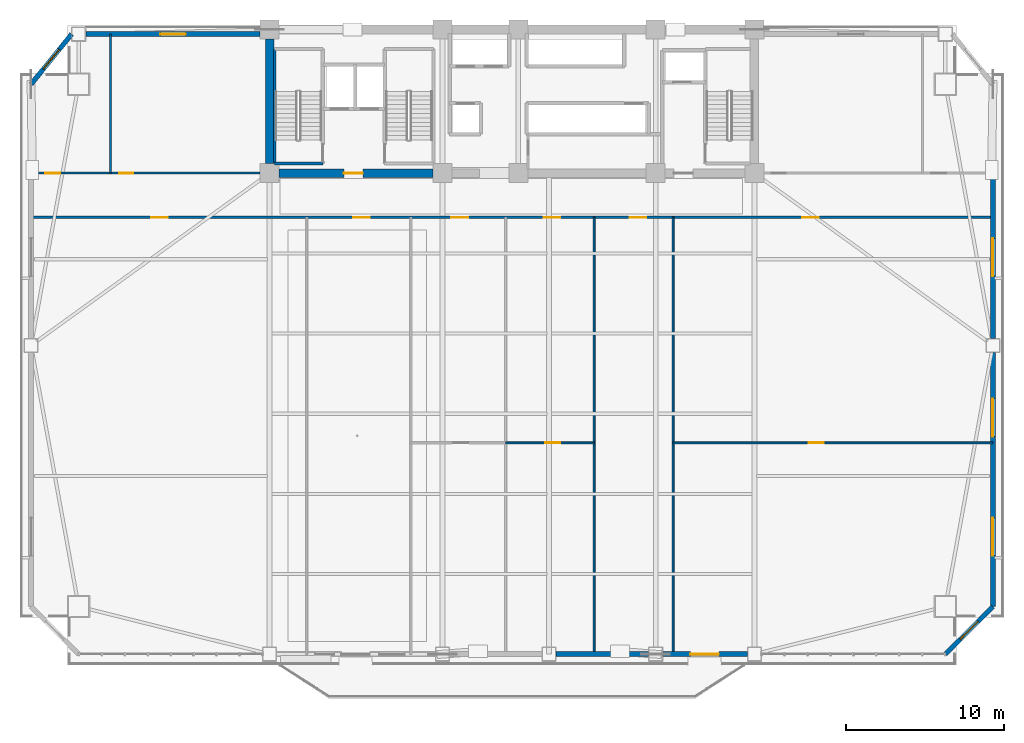
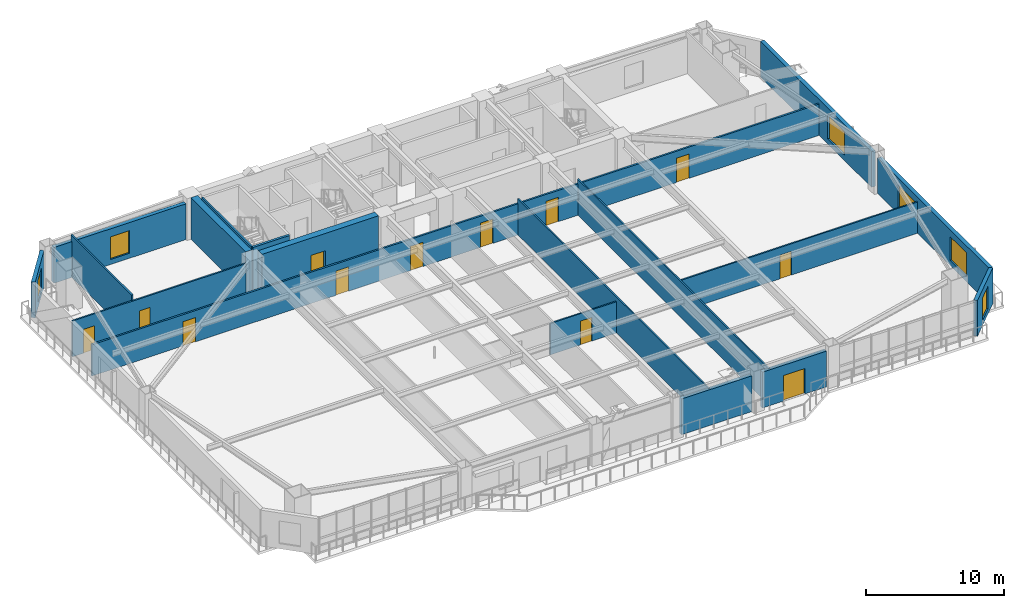
# One storey, part 8 of 15: 18 walls, 12 doors, 6 windows, 18 openings.
"""IFC4 building model written with IfcOpenShell, lengths in metres."""

from ifc_helpers import new_model, si_unit, direction, frame, frame_2d, origin, place, context, subcontext, project, spatial, rectangle, extrude, source, transform, mapped, material, layer, layer_set, type_object, element, fill, save


model = new_model("IFC4")

# Units and contexts
model_context = context("Model", 3, precision=1e-05, world=origin(), true_north=direction((0.0, 1.0)))
body_context = subcontext(model_context, "Body", "Model", "MODEL_VIEW")
ifc_project = project(units=[si_unit("LENGTHUNIT", "METRE"), si_unit("AREAUNIT", "SQUARE_METRE"), si_unit("VOLUMEUNIT", "CUBIC_METRE"), si_unit("PLANEANGLEUNIT", "RADIAN"), si_unit("MASSUNIT", "GRAM", prefix="KILO")], contexts=[model_context])

# Site, building, storey
site_placement = place(None, origin())
site = spatial("IfcSite", under=ifc_project, at=site_placement, CompositionType="ELEMENT")
building_placement = place(site_placement, origin())
building = spatial("IfcBuilding", under=site, at=building_placement, Name="Giltprow Tower", CompositionType="ELEMENT")
storey_placement = place(building_placement, frame((0.0, 0.0, 111.39990234375)))
storey = spatial("IfcBuildingStorey", under=building, at=storey_placement, Name="L27", CompositionType="ELEMENT", Elevation=111.39990234375)

# Wall, opening, window
ifc_material_1 = material(Name="Precast concrete C40", Category="concrete")
ifc_layer_1 = layer(ifc_material_1, 0.300048828125, Name="Precast concrete C40")
ifc_layer_set_1 = layer_set([ifc_layer_1], Name="Precast concrete C40")
wall_type_1 = type_object("IfcWallType", Name="EW-NOTCH-CHAMFER-300", PredefinedType="SOLIDWALL", material=ifc_layer_set_1)
wall_1_placement = place(storey_placement, frame((62.638916015625, 6.989990234375, 0.0), z_axis=(0.0, 0.0, 1.0), x_axis=(0.707106781187, 0.707106781187, 0.0)))
wall_1 = element("IfcWall", 1, at=wall_1_placement, inside=storey, type_object=wall_type_1, Name="L27 Corner Notch Wall SE", PredefinedType="SOLIDWALL", context=body_context, shape_type="SweptSolid", body=[
    extrude(rectangle(XDim=4.266845703125, YDim=0.300048828125, at=frame_2d((2.13330078125, 0.0))), origin(), (0.0, 0.0, 1.0), 3.16015625),
])
opening_1_placement = place(wall_1_placement, frame((1.3330078125, 0.0, 0.449951171875)))
opening_1 = element("IfcOpeningElement", 2, at=opening_1_placement, cuts=wall_1, Name="Opening WN17", PredefinedType="OPENING", context=body_context, shape_type="SweptSolid", body=[
    extrude(rectangle(XDim=1.60009765625, YDim=2.0, at=frame_2d((0.800048828125, 1.0))), frame((0.0, 0.159912109375, 0.0), z_axis=(0.0, -1.0, 0.0), x_axis=(1.0, 0.0, 0.0)), (0.0, 0.0, 1.0), 0.320068359375),
])
ifc_material_2 = material(Name="Insulated glass", Category="glass")
window_type_1 = type_object("IfcWindowType", Name="WN-COR-1600x2000", PartitioningType="SINGLE_PANEL", PredefinedType="WINDOW", material=ifc_material_2)
shared_shape_1 = source(origin(), body_context, "Body", "SweptSolid", [
    extrude(rectangle(XDim=1.60009765625, YDim=2.0, at=frame_2d((0.800048828125, 1.0))), frame((0.0, 0.030029296875, 0.0), z_axis=(0.0, -1.0, 0.0), x_axis=(1.0, 0.0, 0.0)), (0.0, 0.0, 1.0), 0.06005859375),
])
window_1_placement = place(opening_1_placement, origin())
window_1 = element("IfcWindow", 3, at=window_1_placement, inside=storey, type_object=window_type_1, Name="L27 Corner Notch Window SE", OverallHeight=2.0, OverallWidth=1.60009765625, PartitioningType="SINGLE_PANEL", PredefinedType="WINDOW", context=body_context, shape_type="MappedRepresentation", body=[
    mapped(shared_shape_1, transform((0.0, 0.0, 0.0), x_axis=(1.0, 0.0, 0.0), y_axis=(0.0, 1.0, 0.0), z_axis=(0.0, 0.0, 1.0), scale=1.0)),
])
fill(opening_1, window_1)

wall_2_placement = place(storey_placement, frame((7.31103515625, 46.25, 0.0), z_axis=(0.0, 0.0, 1.0), x_axis=(-0.629699415949, -0.776838880047, 0.0)))
wall_2 = element("IfcWall", 4, at=wall_2_placement, inside=storey, type_object=wall_type_1, Name="L27 Corner Notch Wall NW", PredefinedType="SOLIDWALL", context=body_context, shape_type="SweptSolid", body=[
    extrude(rectangle(XDim=4.07666015625, YDim=0.300048828125, at=frame_2d((2.038330078125, 0.0))), origin(), (0.0, 0.0, 1.0), 3.16015625),
])
opening_2_placement = place(wall_2_placement, frame((1.238037109375, 0.0, 0.449951171875)))
opening_2 = element("IfcOpeningElement", 5, at=opening_2_placement, cuts=wall_2, Name="Opening WN17", PredefinedType="OPENING", context=body_context, shape_type="SweptSolid", body=[
    extrude(rectangle(XDim=1.60009765625, YDim=2.0, at=frame_2d((0.800048828125, 1.0))), frame((0.0, 0.159912109375, 0.0), z_axis=(0.0, -1.0, 0.0), x_axis=(1.0, 0.0, 0.0)), (0.0, 0.0, 1.0), 0.320068359375),
])
window_2_placement = place(opening_2_placement, origin())
window_2 = element("IfcWindow", 6, at=window_2_placement, inside=storey, type_object=window_type_1, Name="L27 Corner Notch Window NW", OverallHeight=2.0, OverallWidth=1.60009765625, PartitioningType="SINGLE_PANEL", PredefinedType="WINDOW", context=body_context, shape_type="MappedRepresentation", body=[
    mapped(shared_shape_1, transform((0.0, 0.0, 0.0), x_axis=(1.0, 0.0, 0.0), y_axis=(0.0, 1.0, 0.0), z_axis=(0.0, 0.0, 1.0), scale=1.0)),
])
fill(opening_2, window_2)

# Wall
ifc_layer_2 = layer(ifc_material_1, 0.320068359375, Name="Precast concrete C40")
ifc_layer_set_2 = layer_set([ifc_layer_2], Name="Precast concrete C40")
wall_type_2 = type_object("IfcWallType", Name="EW-TOW-STONE-320", PredefinedType="SOLIDWALL", material=ifc_layer_set_2)
wall_3_placement = place(storey_placement, frame((38.0, 6.989990234375, 0.0), z_axis=(0.0, 0.0, 1.0), x_axis=(1.0, 0.0, 0.0)))
element("IfcWall", 7, at=wall_3_placement, inside=storey, type_object=wall_type_2, Name="L27 South Expressed Frame Wall 4", PredefinedType="SOLIDWALL", context=body_context, shape_type="SweptSolid", body=[
    extrude(rectangle(XDim=5.85009765625, YDim=0.320068359375, at=frame_2d((2.925048828125, 0.0))), origin(), (0.0, 0.0, 1.0), 3.16015625),
])

# Wall, opening, door
wall_4_placement = place(storey_placement, frame((44.75, 6.989990234375, 0.0), z_axis=(0.0, 0.0, 1.0), x_axis=(1.0, 0.0, 0.0)))
wall_4 = element("IfcWall", 8, at=wall_4_placement, inside=storey, type_object=wall_type_2, Name="L27 South Expressed Frame Wall 5", PredefinedType="SOLIDWALL", context=body_context, shape_type="SweptSolid", body=[
    extrude(rectangle(XDim=5.35009765625, YDim=0.320068359375, at=frame_2d((2.675048828125, 0.0))), origin(), (0.0, 0.0, 1.0), 3.16015625),
])
opening_3_placement = place(wall_4_placement, frame((1.75, 0.0, 0.0)))
opening_3 = element("IfcOpeningElement", 9, at=opening_3_placement, cuts=wall_4, Name="Opening ED25", PredefinedType="OPENING", context=body_context, shape_type="SweptSolid", body=[
    extrude(rectangle(XDim=1.800048828125, YDim=2.25, at=frame_2d((0.89990234375, 1.125))), frame((0.0, 0.169921875, 0.0), z_axis=(0.0, -1.0, 0.0), x_axis=(1.0, 0.0, 0.0)), (0.0, 0.0, 1.0), 0.340087890625),
])
ifc_material_3 = material(Name="Anodized bronze and glass", Category="glass")
door_type_1 = type_object("IfcDoorType", Name="DR-BALC-SLIDE-1800", OperationType="SLIDING_TO_LEFT", PredefinedType="DOOR", material=ifc_material_3)
shared_shape_2 = source(origin(), body_context, "Body", "SweptSolid", [
    extrude(rectangle(XDim=1.800048828125, YDim=2.25, at=frame_2d((0.89990234375, 1.125))), frame((0.0, 0.02490234375, 0.0), z_axis=(0.0, -1.0, 0.0), x_axis=(1.0, 0.0, 0.0)), (0.0, 0.0, 1.0), 0.050048828125),
])
door_1_placement = place(opening_3_placement, origin())
door_1 = element("IfcDoor", 10, at=door_1_placement, inside=storey, type_object=door_type_1, Name="L27 Waterfront Balcony Sliding Door 2", OperationType="SLIDING_TO_LEFT", OverallHeight=2.25, OverallWidth=1.800048828125, PredefinedType="DOOR", context=body_context, shape_type="MappedRepresentation", body=[
    mapped(shared_shape_2, transform((0.0, 0.0, 0.0), x_axis=(1.0, 0.0, 0.0), y_axis=(0.0, 1.0, 0.0), z_axis=(0.0, 0.0, 1.0), scale=1.0)),
])
fill(opening_3, door_1)

# Wall, openings, windows
wall_5_placement = place(storey_placement, frame((65.656005859375, 10.007080078125, 0.0), z_axis=(0.0, 0.0, 1.0), x_axis=(0.0, 1.0, 0.0)))
wall_5 = element("IfcWall", 11, at=wall_5_placement, inside=storey, type_object=wall_type_2, Name="L27 E Wing Masonry Wall 1", PredefinedType="SOLIDWALL", context=body_context, shape_type="SweptSolid", body=[
    extrude(rectangle(XDim=16.087890625, YDim=0.320068359375, at=frame_2d((8.0439453125, 0.0))), origin(), (0.0, 0.0, 1.0), 3.16015625),
])
opening_4_placement = place(wall_5_placement, frame((3.222900390625, 0.0, 0.449951171875)))
opening_4 = element("IfcOpeningElement", 12, at=opening_4_placement, cuts=wall_5, Name="Opening WN29", PredefinedType="OPENING", context=body_context, shape_type="SweptSolid", body=[
    extrude(rectangle(XDim=2.39990234375, YDim=2.10009765625, at=frame_2d((1.199951171875, 1.050048828125))), frame((0.0, 0.169921875, 0.0), z_axis=(0.0, -1.0, 0.0), x_axis=(1.0, 0.0, 0.0)), (0.0, 0.0, 1.0), 0.340087890625),
])
opening_5_placement = place(wall_5_placement, frame((10.76708984375, 0.0, 0.449951171875)))
opening_5 = element("IfcOpeningElement", 13, at=opening_5_placement, cuts=wall_5, Name="Opening WN29", PredefinedType="OPENING", context=body_context, shape_type="SweptSolid", body=[
    extrude(rectangle(XDim=2.39990234375, YDim=2.10009765625, at=frame_2d((1.199951171875, 1.050048828125))), frame((0.0, 0.169921875, 0.0), z_axis=(0.0, -1.0, 0.0), x_axis=(1.0, 0.0, 0.0)), (0.0, 0.0, 1.0), 0.340087890625),
])
window_type_2 = type_object("IfcWindowType", Name="WN-OFF-2400x2100", PartitioningType="DOUBLE_PANEL_VERTICAL", PredefinedType="WINDOW", material=ifc_material_2)
shared_shape_3 = source(origin(), body_context, "Body", "SweptSolid", [
    extrude(rectangle(XDim=2.39990234375, YDim=2.10009765625, at=frame_2d((1.199951171875, 1.050048828125))), frame((0.0, 0.030029296875, 0.0), z_axis=(0.0, -1.0, 0.0), x_axis=(1.0, 0.0, 0.0)), (0.0, 0.0, 1.0), 0.06005859375),
])
window_3_placement = place(opening_4_placement, origin())
window_3 = element("IfcWindow", 14, at=window_3_placement, inside=storey, type_object=window_type_2, Name="L27 E Wing Window 1-1A", OverallHeight=2.10009765625, OverallWidth=2.39990234375, PartitioningType="SINGLE_PANEL", PredefinedType="WINDOW", context=body_context, shape_type="MappedRepresentation", body=[
    mapped(shared_shape_3, transform((0.0, 0.0, 0.0), x_axis=(1.0, 0.0, 0.0), y_axis=(0.0, 1.0, 0.0), z_axis=(0.0, 0.0, 1.0), scale=1.0)),
])
fill(opening_4, window_3)
window_4_placement = place(opening_5_placement, origin())
window_4 = element("IfcWindow", 15, at=window_4_placement, inside=storey, type_object=window_type_2, Name="L27 E Wing Window 1-1B", OverallHeight=2.10009765625, OverallWidth=2.39990234375, PartitioningType="SINGLE_PANEL", PredefinedType="WINDOW", context=body_context, shape_type="MappedRepresentation", body=[
    mapped(shared_shape_3, transform((0.0, 0.0, 0.0), x_axis=(1.0, 0.0, 0.0), y_axis=(0.0, 1.0, 0.0), z_axis=(0.0, 0.0, 1.0), scale=1.0)),
])
fill(opening_5, window_4)

# Wall, opening, window
wall_6_placement = place(storey_placement, frame((65.656005859375, 26.9951171875, 0.0), z_axis=(0.0, 0.0, 1.0), x_axis=(0.0, 1.0, 0.0)))
wall_6 = element("IfcWall", 16, at=wall_6_placement, inside=storey, type_object=wall_type_2, Name="L27 E Wing Masonry Wall 2", PredefinedType="SOLIDWALL", context=body_context, shape_type="SweptSolid", body=[
    extrude(rectangle(XDim=16.087890625, YDim=0.320068359375, at=frame_2d((8.0439453125, 0.0))), origin(), (0.0, 0.0, 1.0), 3.16015625),
])
opening_6_placement = place(wall_6_placement, frame((3.930908203125, 0.0, 0.449951171875)))
opening_6 = element("IfcOpeningElement", 17, at=opening_6_placement, cuts=wall_6, Name="Opening WN29", PredefinedType="OPENING", context=body_context, shape_type="SweptSolid", body=[
    extrude(rectangle(XDim=2.39990234375, YDim=2.10009765625, at=frame_2d((1.199951171875, 1.050048828125))), frame((0.0, 0.169921875, 0.0), z_axis=(0.0, -1.0, 0.0), x_axis=(1.0, 0.0, 0.0)), (0.0, 0.0, 1.0), 0.340087890625),
])
window_5_placement = place(opening_6_placement, origin())
window_5 = element("IfcWindow", 18, at=window_5_placement, inside=storey, type_object=window_type_2, Name="L27 E Wing Window 2-1", OverallHeight=2.10009765625, OverallWidth=2.39990234375, PartitioningType="SINGLE_PANEL", PredefinedType="WINDOW", context=body_context, shape_type="MappedRepresentation", body=[
    mapped(shared_shape_3, transform((0.0, 0.0, 0.0), x_axis=(1.0, 0.0, 0.0), y_axis=(0.0, 1.0, 0.0), z_axis=(0.0, 0.0, 1.0), scale=1.0)),
])
fill(opening_6, window_5)

wall_7_placement = place(storey_placement, frame((8.2109375, 46.25, 0.0), z_axis=(0.0, 0.0, 1.0), x_axis=(1.0, 0.0, 0.0)))
wall_7 = element("IfcWall", 19, at=wall_7_placement, inside=storey, type_object=wall_type_2, Name="L27 North-West Wing Wall", PredefinedType="SOLIDWALL", context=body_context, shape_type="SweptSolid", body=[
    extrude(rectangle(XDim=11.0390625, YDim=0.320068359375, at=frame_2d((5.51953125, 0.0))), origin(), (0.0, 0.0, 1.0), 3.16015625),
])
opening_7_placement = place(wall_7_placement, frame((4.719970703125, 0.0, 0.449951171875)))
opening_7 = element("IfcOpeningElement", 20, at=opening_7_placement, cuts=wall_7, Name="Opening WN17", PredefinedType="OPENING", context=body_context, shape_type="SweptSolid", body=[
    extrude(rectangle(XDim=1.60009765625, YDim=2.0, at=frame_2d((0.800048828125, 1.0))), frame((0.0, 0.169921875, 0.0), z_axis=(0.0, -1.0, 0.0), x_axis=(1.0, 0.0, 0.0)), (0.0, 0.0, 1.0), 0.340087890625),
])
window_6_placement = place(opening_7_placement, origin())
window_6 = element("IfcWindow", 21, at=window_6_placement, inside=storey, type_object=window_type_1, Name="L27 North-West Window", OverallHeight=2.0, OverallWidth=1.60009765625, PartitioningType="SINGLE_PANEL", PredefinedType="WINDOW", context=body_context, shape_type="MappedRepresentation", body=[
    mapped(shared_shape_1, transform((0.0, 0.0, 0.0), x_axis=(1.0, 0.0, 0.0), y_axis=(0.0, 1.0, 0.0), z_axis=(0.0, 0.0, 1.0), scale=1.0)),
])
fill(opening_7, window_6)

# Wall, openings, doors
ifc_material_4 = material(Name="Gypsum stud partition", Category="gypsum")
ifc_layer_3 = layer(ifc_material_4, 0.14990234375, Name="Gypsum stud partition")
ifc_layer_set_3 = layer_set([ifc_layer_3], Name="Gypsum stud partition")
wall_type_3 = type_object("IfcWallType", Name="IW-CORR-150", PredefinedType="PARTITIONING", material=ifc_layer_set_3)
wall_8_placement = place(storey_placement, frame((4.743896484375, 34.64990234375, 0.0), z_axis=(0.0, 0.0, 1.0), x_axis=(1.0, 0.0, 0.0)))
wall_8 = element("IfcWall", 22, at=wall_8_placement, inside=storey, type_object=wall_type_3, Name="L27 Office Loop Corridor Wall", PredefinedType="PARTITIONING", context=body_context, shape_type="SweptSolid", body=[
    extrude(rectangle(XDim=60.912109375, YDim=0.14990234375, at=frame_2d((30.4560546875, 0.0))), origin(), (0.0, 0.0, 1.0), 2.76513671875),
])
opening_8_placement = place(wall_8_placement, frame((7.610107421875, 0.0, 0.0)))
opening_8 = element("IfcOpeningElement", 23, at=opening_8_placement, cuts=wall_8, Name="Opening ID31", PredefinedType="OPENING", context=body_context, shape_type="SweptSolid", body=[
    extrude(rectangle(XDim=1.050048828125, YDim=2.14990234375, at=frame_2d((0.52490234375, 1.074951171875))), frame((0.0, 0.0849609375, 0.0), z_axis=(0.0, -1.0, 0.0), x_axis=(1.0, 0.0, 0.0)), (0.0, 0.0, 1.0), 0.169921875),
])
opening_9_placement = place(wall_8_placement, frame((20.39111328125, 0.0, 0.0)))
opening_9 = element("IfcOpeningElement", 24, at=opening_9_placement, cuts=wall_8, Name="Opening ID31", PredefinedType="OPENING", context=body_context, shape_type="SweptSolid", body=[
    extrude(rectangle(XDim=1.050048828125, YDim=2.14990234375, at=frame_2d((0.52490234375, 1.074951171875))), frame((0.0, 0.0849609375, 0.0), z_axis=(0.0, -1.0, 0.0), x_axis=(1.0, 0.0, 0.0)), (0.0, 0.0, 1.0), 0.169921875),
])
opening_10_placement = place(wall_8_placement, frame((26.6220703125, 0.0, 0.0)))
opening_10 = element("IfcOpeningElement", 25, at=opening_10_placement, cuts=wall_8, Name="Opening ID31", PredefinedType="OPENING", context=body_context, shape_type="SweptSolid", body=[
    extrude(rectangle(XDim=1.050048828125, YDim=2.14990234375, at=frame_2d((0.52490234375, 1.074951171875))), frame((0.0, 0.0849609375, 0.0), z_axis=(0.0, -1.0, 0.0), x_axis=(1.0, 0.0, 0.0)), (0.0, 0.0, 1.0), 0.169921875),
])
opening_11_placement = place(wall_8_placement, frame((32.4619140625, 0.0, 0.0)))
opening_11 = element("IfcOpeningElement", 26, at=opening_11_placement, cuts=wall_8, Name="Opening ID31", PredefinedType="OPENING", context=body_context, shape_type="SweptSolid", body=[
    extrude(rectangle(XDim=1.050048828125, YDim=2.14990234375, at=frame_2d((0.52490234375, 1.074951171875))), frame((0.0, 0.0849609375, 0.0), z_axis=(0.0, -1.0, 0.0), x_axis=(1.0, 0.0, 0.0)), (0.0, 0.0, 1.0), 0.169921875),
])
opening_12_placement = place(wall_8_placement, frame((37.9189453125, 0.0, 0.0)))
opening_12 = element("IfcOpeningElement", 27, at=opening_12_placement, cuts=wall_8, Name="Opening ID31", PredefinedType="OPENING", context=body_context, shape_type="SweptSolid", body=[
    extrude(rectangle(XDim=1.050048828125, YDim=2.14990234375, at=frame_2d((0.52490234375, 1.074951171875))), frame((0.0, 0.0849609375, 0.0), z_axis=(0.0, -1.0, 0.0), x_axis=(1.0, 0.0, 0.0)), (0.0, 0.0, 1.0), 0.169921875),
])
opening_13_placement = place(wall_8_placement, frame((48.843994140625, 0.0, 0.0)))
opening_13 = element("IfcOpeningElement", 28, at=opening_13_placement, cuts=wall_8, Name="Opening ID31", PredefinedType="OPENING", context=body_context, shape_type="SweptSolid", body=[
    extrude(rectangle(XDim=1.050048828125, YDim=2.14990234375, at=frame_2d((0.52490234375, 1.074951171875))), frame((0.0, 0.0849609375, 0.0), z_axis=(0.0, -1.0, 0.0), x_axis=(1.0, 0.0, 0.0)), (0.0, 0.0, 1.0), 0.169921875),
])
ifc_material_5 = material(Name="Engineered timber", Category="wood")
door_type_2 = type_object("IfcDoorType", Name="DR-SUITE-1050", OperationType="SINGLE_SWING_LEFT", PredefinedType="DOOR", material=ifc_material_5)
shared_shape_4 = source(origin(), body_context, "Body", "SweptSolid", [
    extrude(rectangle(XDim=1.050048828125, YDim=2.14990234375, at=frame_2d((0.52490234375, 1.074951171875))), frame((0.0, 0.02490234375, 0.0), z_axis=(0.0, -1.0, 0.0), x_axis=(1.0, 0.0, 0.0)), (0.0, 0.0, 1.0), 0.050048828125),
])
door_2_placement = place(opening_8_placement, origin())
door_2 = element("IfcDoor", 29, at=door_2_placement, inside=storey, type_object=door_type_2, Name="L27 Engineering Office 1 Door", OperationType="SINGLE_SWING_LEFT", OverallHeight=2.14990234375, OverallWidth=1.050048828125, PredefinedType="DOOR", context=body_context, shape_type="MappedRepresentation", body=[
    mapped(shared_shape_4, transform((0.0, 0.0, 0.0), x_axis=(1.0, 0.0, 0.0), y_axis=(0.0, 1.0, 0.0), z_axis=(0.0, 0.0, 1.0), scale=1.0)),
])
fill(opening_8, door_2)
door_3_placement = place(opening_9_placement, origin())
door_3 = element("IfcDoor", 30, at=door_3_placement, inside=storey, type_object=door_type_2, Name="L27 Dining Kitchen 1 Door", OperationType="SINGLE_SWING_RIGHT", OverallHeight=2.14990234375, OverallWidth=1.050048828125, PredefinedType="DOOR", context=body_context, shape_type="MappedRepresentation", body=[
    mapped(shared_shape_4, transform((0.0, 0.0, 0.0), x_axis=(1.0, 0.0, 0.0), y_axis=(0.0, 1.0, 0.0), z_axis=(0.0, 0.0, 1.0), scale=1.0)),
])
fill(opening_9, door_3)
door_4_placement = place(opening_10_placement, origin())
door_4 = element("IfcDoor", 31, at=door_4_placement, inside=storey, type_object=door_type_2, Name="L27 Suite Reception Foyer Door", OperationType="SINGLE_SWING_LEFT", OverallHeight=2.14990234375, OverallWidth=1.050048828125, PredefinedType="DOOR", context=body_context, shape_type="MappedRepresentation", body=[
    mapped(shared_shape_4, transform((0.0, 0.0, 0.0), x_axis=(1.0, 0.0, 0.0), y_axis=(0.0, 1.0, 0.0), z_axis=(0.0, 0.0, 1.0), scale=1.0)),
])
fill(opening_10, door_4)
door_5_placement = place(opening_11_placement, origin())
door_5 = element("IfcDoor", 32, at=door_5_placement, inside=storey, type_object=door_type_2, Name="L27 Suite Reception Foyer Door", OperationType="SINGLE_SWING_LEFT", OverallHeight=2.14990234375, OverallWidth=1.050048828125, PredefinedType="DOOR", context=body_context, shape_type="MappedRepresentation", body=[
    mapped(shared_shape_4, transform((0.0, 0.0, 0.0), x_axis=(1.0, 0.0, 0.0), y_axis=(0.0, 1.0, 0.0), z_axis=(0.0, 0.0, 1.0), scale=1.0)),
])
fill(opening_11, door_5)
door_6_placement = place(opening_12_placement, origin())
door_6 = element("IfcDoor", 33, at=door_6_placement, inside=storey, type_object=door_type_2, Name="L27 Planning Office 3 Door", OperationType="SINGLE_SWING_LEFT", OverallHeight=2.14990234375, OverallWidth=1.050048828125, PredefinedType="DOOR", context=body_context, shape_type="MappedRepresentation", body=[
    mapped(shared_shape_4, transform((0.0, 0.0, 0.0), x_axis=(1.0, 0.0, 0.0), y_axis=(0.0, 1.0, 0.0), z_axis=(0.0, 0.0, 1.0), scale=1.0)),
])
fill(opening_12, door_6)
door_7_placement = place(opening_13_placement, origin())
door_7 = element("IfcDoor", 34, at=door_7_placement, inside=storey, type_object=door_type_2, Name="L27 Suite Reception Foyer Door", OperationType="SINGLE_SWING_RIGHT", OverallHeight=2.14990234375, OverallWidth=1.050048828125, PredefinedType="DOOR", context=body_context, shape_type="MappedRepresentation", body=[
    mapped(shared_shape_4, transform((0.0, 0.0, 0.0), x_axis=(1.0, 0.0, 0.0), y_axis=(0.0, 1.0, 0.0), z_axis=(0.0, 0.0, 1.0), scale=1.0)),
])
fill(opening_13, door_7)

# Wall, opening, door
ifc_layer_4 = layer(ifc_material_4, 0.1201171875, Name="Gypsum stud partition")
ifc_layer_set_4 = layer_set([ifc_layer_4], Name="Gypsum stud partition")
wall_type_4 = type_object("IfcWallType", Name="IW-ROOM-120", PredefinedType="PARTITIONING", material=ifc_layer_set_4)
wall_9_placement = place(storey_placement, frame((34.800048828125, 20.37109375, 0.0), z_axis=(0.0, 0.0, 1.0), x_axis=(1.0, 0.0, 0.0)))
wall_9 = element("IfcWall", 35, at=wall_9_placement, inside=storey, type_object=wall_type_4, Name="L27 Office Mid Wall 4", PredefinedType="PARTITIONING", context=body_context, shape_type="SweptSolid", body=[
    extrude(rectangle(XDim=5.599853515625, YDim=0.1201171875, at=frame_2d((2.7998046875, 0.0))), origin(), (0.0, 0.0, 1.0), 2.76513671875),
])
opening_14_placement = place(wall_9_placement, frame((2.514892578125, 0.0, 0.0)))
opening_14 = element("IfcOpeningElement", 36, at=opening_14_placement, cuts=wall_9, Name="Opening ID11", PredefinedType="OPENING", context=body_context, shape_type="SweptSolid", body=[
    extrude(rectangle(XDim=0.949951171875, YDim=2.10009765625, at=frame_2d((0.47509765625, 1.050048828125))), frame((0.0, 0.070068359375, 0.0), z_axis=(0.0, -1.0, 0.0), x_axis=(1.0, 0.0, 0.0)), (0.0, 0.0, 1.0), 0.14013671875),
])
door_type_3 = type_object("IfcDoorType", Name="DR-ROOM-950", OperationType="SINGLE_SWING_RIGHT", PredefinedType="DOOR", material=ifc_material_5)
shared_shape_5 = source(origin(), body_context, "Body", "SweptSolid", [
    extrude(rectangle(XDim=0.949951171875, YDim=2.10009765625, at=frame_2d((0.47509765625, 1.050048828125))), frame((0.0, 0.02490234375, 0.0), z_axis=(0.0, -1.0, 0.0), x_axis=(1.0, 0.0, 0.0)), (0.0, 0.0, 1.0), 0.050048828125),
])
door_8_placement = place(opening_14_placement, origin())
door_8 = element("IfcDoor", 37, at=door_8_placement, inside=storey, type_object=door_type_3, Name="L27 Bistro Kitchen 2 Inner Door", OperationType="SINGLE_SWING_RIGHT", OverallHeight=2.10009765625, OverallWidth=0.949951171875, PredefinedType="DOOR", context=body_context, shape_type="MappedRepresentation", body=[
    mapped(shared_shape_5, transform((0.0, 0.0, 0.0), x_axis=(1.0, 0.0, 0.0), y_axis=(0.0, 1.0, 0.0), z_axis=(0.0, 0.0, 1.0), scale=1.0)),
])
fill(opening_14, door_8)

# Walls
for number, where, z_axis, x_axis, name in (
    (38, (40.39990234375, 6.989990234375, 0.0), (0.0, 0.0, 1.0), (0.0, 1.0, 0.0), "L27 Office Partition 4"),
    (39, (45.39990234375, 6.989990234375, 0.0), (0.0, 0.0, 1.0), (0.0, 1.0, 0.0), "L27 Office Partition 5"),
):
    element("IfcWall", number, at=place(storey_placement, frame(where, z_axis=z_axis, x_axis=x_axis)), inside=storey, type_object=wall_type_4, Name=name, PredefinedType="PARTITIONING", context=body_context, shape_type="SweptSolid", body=[
        extrude(rectangle(XDim=27.659912109375, YDim=0.1201171875, at=frame_2d((13.830078125, 0.0))), origin(), (0.0, 0.0, 1.0), 3.1650390625),
    ])

# Wall, opening, door
wall_10_placement = place(storey_placement, frame((45.39990234375, 20.37109375, 0.0), z_axis=(0.0, 0.0, 1.0), x_axis=(1.0, 0.0, 0.0)))
wall_10 = element("IfcWall", 40, at=wall_10_placement, inside=storey, type_object=wall_type_4, Name="L27 Office Mid Wall 6", PredefinedType="PARTITIONING", context=body_context, shape_type="SweptSolid", body=[
    extrude(rectangle(XDim=20.256103515625, YDim=0.1201171875, at=frame_2d((10.1279296875, 0.0))), origin(), (0.0, 0.0, 1.0), 2.76513671875),
])
opening_15_placement = place(wall_10_placement, frame((8.5859375, 0.0, 0.0)))
opening_15 = element("IfcOpeningElement", 41, at=opening_15_placement, cuts=wall_10, Name="Opening ID11", PredefinedType="OPENING", context=body_context, shape_type="SweptSolid", body=[
    extrude(rectangle(XDim=0.949951171875, YDim=2.10009765625, at=frame_2d((0.47509765625, 1.050048828125))), frame((0.0, 0.070068359375, 0.0), z_axis=(0.0, -1.0, 0.0), x_axis=(1.0, 0.0, 0.0)), (0.0, 0.0, 1.0), 0.14013671875),
])
door_9_placement = place(opening_15_placement, origin())
door_9 = element("IfcDoor", 42, at=door_9_placement, inside=storey, type_object=door_type_3, Name="L27 Pantry Kitchen 3 Inner Door", OperationType="SINGLE_SWING_LEFT", OverallHeight=2.10009765625, OverallWidth=0.949951171875, PredefinedType="DOOR", context=body_context, shape_type="MappedRepresentation", body=[
    mapped(shared_shape_5, transform((0.0, 0.0, 0.0), x_axis=(1.0, 0.0, 0.0), y_axis=(0.0, 1.0, 0.0), z_axis=(0.0, 0.0, 1.0), scale=1.0)),
])
fill(opening_15, door_9)

# Walls
ifc_material_6 = material(Name="Concrete C45", Category="concrete")
ifc_layer_5 = layer(ifc_material_6, 0.139892578125, Name="Concrete C45")
ifc_layer_set_5 = layer_set([ifc_layer_5], Name="Concrete C45")
wall_type_5 = type_object("IfcWallType", Name="IW-STAIR-140", PredefinedType="SOLIDWALL", material=ifc_layer_set_5)
wall_11_placement = place(storey_placement, frame((20.169921875, 38.070068359375, 0.0), z_axis=(0.0, 0.0, 1.0), x_axis=(0.0, 1.0, 0.0)))
element("IfcWall", 43, at=wall_11_placement, inside=storey, type_object=wall_type_5, Name="L27 Stair ST-1 West Bearing Wall", PredefinedType="SOLIDWALL", context=body_context, shape_type="SweptSolid", body=[
    extrude(rectangle(XDim=7.25, YDim=0.139892578125, at=frame_2d((3.625, 0.0))), origin(), (0.0, 0.0, 1.0), 3.900146484375),
])
ifc_material_7 = material(Name="Concrete C40", Category="concrete")
ifc_layer_6 = layer(ifc_material_7, 0.199951171875, Name="Concrete C40")
ifc_layer_set_6 = layer_set([ifc_layer_6], Name="Concrete C40")
wall_type_6 = type_object("IfcWallType", Name="IW-STAIR-200", PredefinedType="SOLIDWALL", material=ifc_layer_set_6)
wall_12_placement = place(storey_placement, frame((20.169921875, 38.070068359375, 0.0), z_axis=(0.0, 0.0, 1.0), x_axis=(1.0, 0.0, 0.0)))
element("IfcWall", 44, at=wall_12_placement, inside=storey, type_object=wall_type_6, Name="L27 Stair ST-1 South Bearing Wall", PredefinedType="SOLIDWALL", context=body_context, shape_type="SweptSolid", body=[
    extrude(rectangle(XDim=3.050048828125, YDim=0.199951171875, at=frame_2d((1.52490234375, 0.0))), origin(), (0.0, 0.0, 1.0), 3.900146484375),
])

# Wall, openings, doors
ifc_material_8 = material(Name="Concrete C30", Category="concrete")
ifc_layer_7 = layer(ifc_material_8, 0.1298828125, Name="Concrete C30")
ifc_layer_set_7 = layer_set([ifc_layer_7], Name="Concrete C30")
wall_type_7 = type_object("IfcWallType", Name="IW-WET-130", PredefinedType="PARTITIONING", material=ifc_layer_set_7)
wall_13_placement = place(storey_placement, frame((4.743896484375, 37.449951171875, 0.0), z_axis=(0.0, 0.0, 1.0), x_axis=(1.0, 0.0, 0.0)))
wall_13 = element("IfcWall", 45, at=wall_13_placement, inside=storey, type_object=wall_type_7, Name="L27 NW Wing South Wall", PredefinedType="PARTITIONING", context=body_context, shape_type="SweptSolid", body=[
    extrude(rectangle(XDim=14.506103515625, YDim=0.1298828125, at=frame_2d((7.2529296875, 0.0))), origin(), (0.0, 0.0, 1.0), 3.1650390625),
])
opening_16_placement = place(wall_13_placement, frame((0.89990234375, 0.0, 0.0)))
opening_16 = element("IfcOpeningElement", 46, at=opening_16_placement, cuts=wall_13, Name="Opening ID11", PredefinedType="OPENING", context=body_context, shape_type="SweptSolid", body=[
    extrude(rectangle(XDim=0.949951171875, YDim=2.10009765625, at=frame_2d((0.47509765625, 1.050048828125))), frame((0.0, 0.074951171875, 0.0), z_axis=(0.0, -1.0, 0.0), x_axis=(1.0, 0.0, 0.0)), (0.0, 0.0, 1.0), 0.14990234375),
])
opening_17_placement = place(wall_13_placement, frame((5.580078125, 0.0, 0.0)))
opening_17 = element("IfcOpeningElement", 47, at=opening_17_placement, cuts=wall_13, Name="Opening ID15", PredefinedType="OPENING", context=body_context, shape_type="SweptSolid", body=[
    extrude(rectangle(XDim=0.89990234375, YDim=2.10009765625, at=frame_2d((0.449951171875, 1.050048828125))), frame((0.0, 0.074951171875, 0.0), z_axis=(0.0, -1.0, 0.0), x_axis=(1.0, 0.0, 0.0)), (0.0, 0.0, 1.0), 0.14990234375),
])
door_type_4 = type_object("IfcDoorType", Name="DR-WC-900", OperationType="SINGLE_SWING_LEFT", PredefinedType="DOOR", material=ifc_material_5)
shared_shape_6 = source(origin(), body_context, "Body", "SweptSolid", [
    extrude(rectangle(XDim=0.89990234375, YDim=2.10009765625, at=frame_2d((0.449951171875, 1.050048828125))), frame((0.0, 0.02490234375, 0.0), z_axis=(0.0, -1.0, 0.0), x_axis=(1.0, 0.0, 0.0)), (0.0, 0.0, 1.0), 0.050048828125),
])
door_10_placement = place(opening_17_placement, origin())
door_10 = element("IfcDoor", 48, at=door_10_placement, inside=storey, type_object=door_type_4, Name="L27 NW Washroom Door", OperationType="SINGLE_SWING_LEFT", OverallHeight=2.10009765625, OverallWidth=0.89990234375, PredefinedType="DOOR", context=body_context, shape_type="MappedRepresentation", body=[
    mapped(shared_shape_6, transform((0.0, 0.0, 0.0), x_axis=(1.0, 0.0, 0.0), y_axis=(0.0, 1.0, 0.0), z_axis=(0.0, 0.0, 1.0), scale=1.0)),
])
fill(opening_17, door_10)
door_11_placement = place(opening_16_placement, origin())
door_11 = element("IfcDoor", 49, at=door_11_placement, inside=storey, type_object=door_type_3, Name="L27 West Tenant Office West Door", OperationType="SINGLE_SWING_RIGHT", OverallHeight=2.10009765625, OverallWidth=0.949951171875, PredefinedType="DOOR", context=body_context, shape_type="MappedRepresentation", body=[
    mapped(shared_shape_5, transform((0.0, 0.0, 0.0), x_axis=(1.0, 0.0, 0.0), y_axis=(0.0, 1.0, 0.0), z_axis=(0.0, 0.0, 1.0), scale=1.0)),
])
fill(opening_16, door_11)

# Wall
wall_14_placement = place(storey_placement, frame((9.77392578125, 37.449951171875, 0.0), z_axis=(0.0, 0.0, 1.0), x_axis=(0.0, 1.0, 0.0)))
element("IfcWall", 50, at=wall_14_placement, inside=storey, type_object=wall_type_7, Name="L27 NW Wing Divider", PredefinedType="PARTITIONING", context=body_context, shape_type="SweptSolid", body=[
    extrude(rectangle(XDim=8.800048828125, YDim=0.1298828125, at=frame_2d((4.39990234375, 0.0))), origin(), (0.0, 0.0, 1.0), 3.68017578125),
])

# Wall, opening, door
ifc_material_9 = material(Name="Concrete C60", Category="concrete")
ifc_layer_8 = layer(ifc_material_9, 0.550048828125, Name="Concrete C60")
ifc_layer_set_8 = layer_set([ifc_layer_8], Name="Concrete C60")
wall_type_8 = type_object("IfcWallType", Name="SW-INT-550-C60", PredefinedType="SHEAR", material=ifc_layer_set_8)
wall_15_placement = place(storey_placement, frame((20.449951171875, 37.449951171875, 0.0), z_axis=(0.0, 0.0, 1.0), x_axis=(1.0, 0.0, 0.0)))
wall_15 = element("IfcWall", 51, at=wall_15_placement, inside=storey, type_object=wall_type_8, Name="L27 South Rear Core Shear Wall West", PredefinedType="SHEAR", context=body_context, shape_type="SweptSolid", body=[
    extrude(rectangle(XDim=9.75, YDim=0.550048828125, at=frame_2d((4.875, 0.0))), origin(), (0.0, 0.0, 1.0), 3.68017578125),
])
opening_18_placement = place(wall_15_placement, frame((4.10009765625, 0.0, 0.0)))
opening_18 = element("IfcOpeningElement", 52, at=opening_18_placement, cuts=wall_15, Name="Opening ID19", PredefinedType="OPENING", context=body_context, shape_type="SweptSolid", body=[
    extrude(rectangle(XDim=1.199951171875, YDim=2.14990234375, at=frame_2d((0.60009765625, 1.074951171875))), frame((0.0, 0.284912109375, 0.0), z_axis=(0.0, -1.0, 0.0), x_axis=(1.0, 0.0, 0.0)), (0.0, 0.0, 1.0), 0.570068359375),
])
ifc_material_10 = material(Name="Steel fire leaf", Category="steel")
door_type_5 = type_object("IfcDoorType", Name="DR-FFLOBBY-1200", OperationType="SINGLE_SWING_RIGHT", PredefinedType="DOOR", material=ifc_material_10)
shared_shape_7 = source(origin(), body_context, "Body", "SweptSolid", [
    extrude(rectangle(XDim=1.199951171875, YDim=2.14990234375, at=frame_2d((0.60009765625, 1.074951171875))), frame((0.0, 0.02490234375, 0.0), z_axis=(0.0, -1.0, 0.0), x_axis=(1.0, 0.0, 0.0)), (0.0, 0.0, 1.0), 0.050048828125),
])
door_12_placement = place(opening_18_placement, origin())
door_12 = element("IfcDoor", 53, at=door_12_placement, inside=storey, type_object=door_type_5, Name="L27 West Firefighting Lobby Entry Door", OperationType="SINGLE_SWING_RIGHT", OverallHeight=2.14990234375, OverallWidth=1.199951171875, PredefinedType="DOOR", context=body_context, shape_type="MappedRepresentation", body=[
    mapped(shared_shape_7, transform((0.0, 0.0, 0.0), x_axis=(1.0, 0.0, 0.0), y_axis=(0.0, 1.0, 0.0), z_axis=(0.0, 0.0, 1.0), scale=1.0)),
])
fill(opening_18, door_12)

# Wall
wall_16_placement = place(storey_placement, frame((19.85009765625, 38.050048828125, 0.0), z_axis=(0.0, 0.0, 1.0), x_axis=(0.0, 1.0, 0.0)))
element("IfcWall", 54, at=wall_16_placement, inside=storey, type_object=wall_type_8, Name="L27 W Rear Core Shear Wall", PredefinedType="SHEAR", context=body_context, shape_type="SweptSolid", body=[
    extrude(rectangle(XDim=7.89990234375, YDim=0.550048828125, at=frame_2d((3.949951171875, 0.0))), origin(), (0.0, 0.0, 1.0), 3.68017578125),
])

save(model, "model.ifc")
